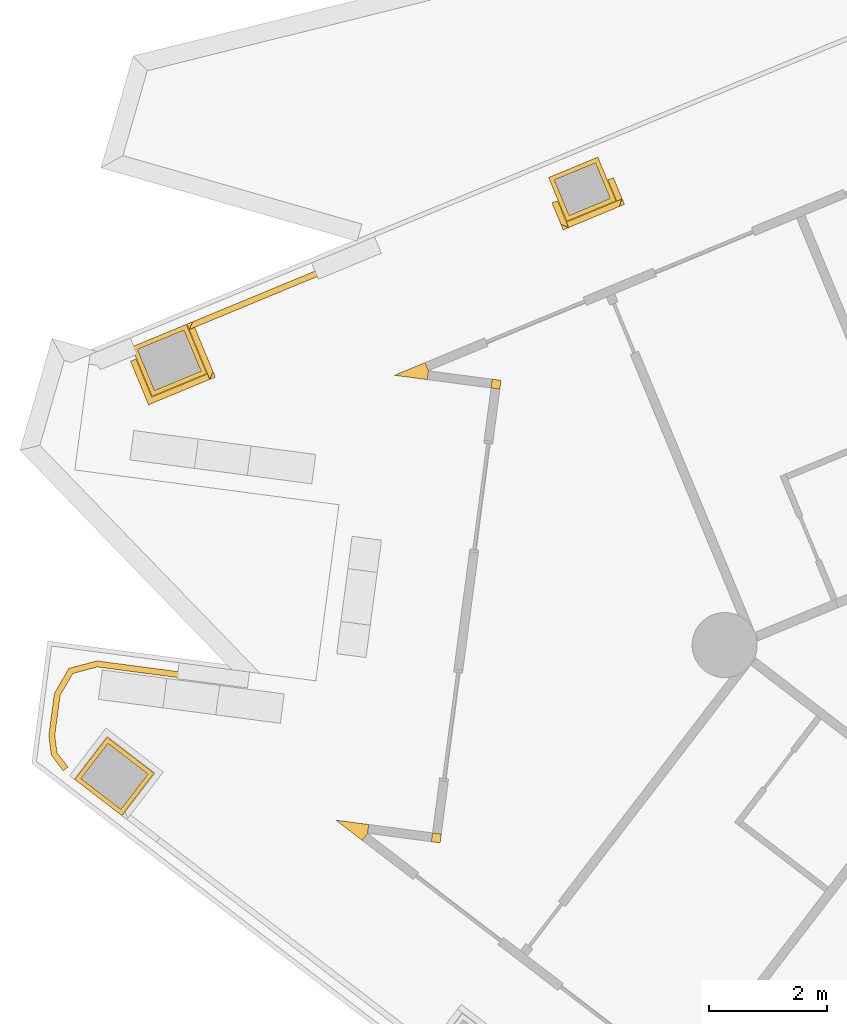
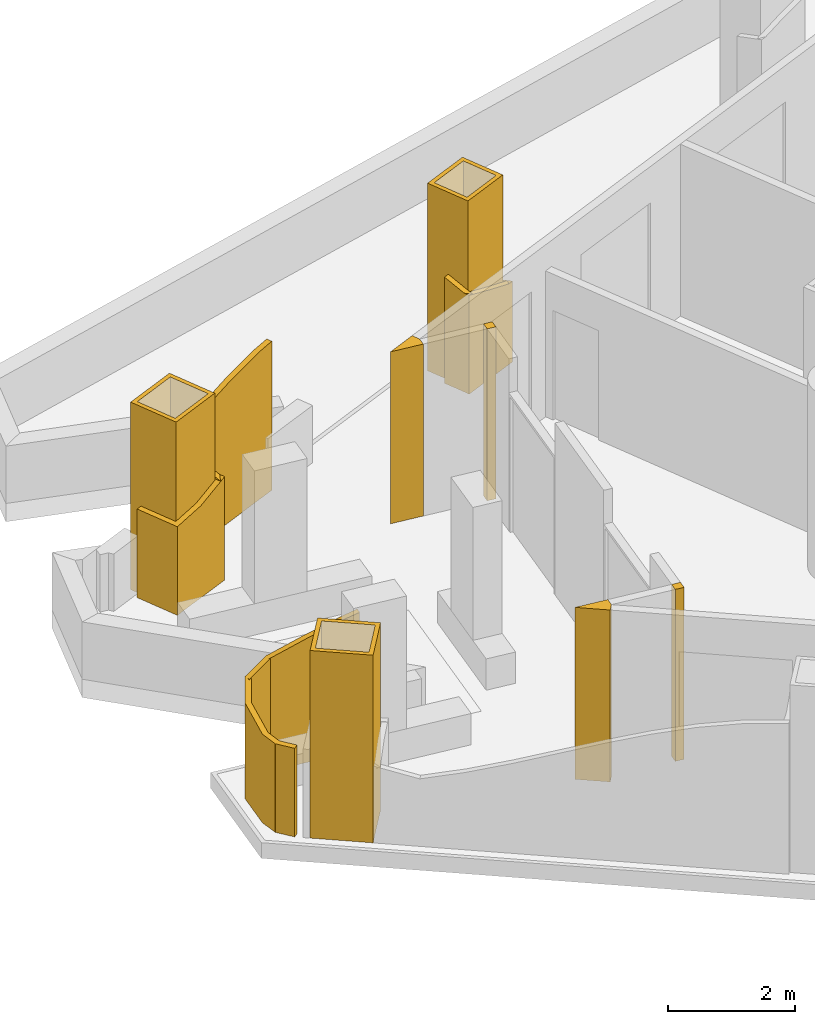
# One storey, part 15 of 19: 7 coverings, 3 railings.
"""IFC4 building model written with IfcOpenShell, lengths in metres."""

from ifc_helpers import new_model, si_unit, direction, frame, origin, place, context, subcontext, project, spatial, polyline, outline, extrude, material, layer, layer_set, type_object, element, save


model = new_model("IFC4")

# Units and contexts
model_context = context("Model", 3, precision=1e-05, world=origin(), true_north=direction((0.0, 1.0)))
body_context = subcontext(model_context, "Body", "Model", "MODEL_VIEW")
ifc_project = project(units=[si_unit("LENGTHUNIT", "METRE"), si_unit("AREAUNIT", "SQUARE_METRE"), si_unit("VOLUMEUNIT", "CUBIC_METRE"), si_unit("PLANEANGLEUNIT", "RADIAN"), si_unit("MASSUNIT", "GRAM", prefix="KILO")], contexts=[model_context])

# Site, building, storey
site_placement = place(None, origin())
site = spatial("IfcSite", under=ifc_project, at=site_placement, CompositionType="ELEMENT")
building_placement = place(site_placement, origin())
building = spatial("IfcBuilding", under=site, at=building_placement, Name="Trine Commons Tower", CompositionType="ELEMENT")
storey_placement = place(building_placement, frame((0.0, 0.0, 124.199951171875)))
storey = spatial("IfcBuildingStorey", under=building, at=storey_placement, Name="L31", CompositionType="ELEMENT", Elevation=124.199951171875)

# Coverings
ifc_material_1 = material(Name="Aluminium-framed insulated wall panel", Category="aluminium")
ifc_layer_1 = layer(ifc_material_1, 0.14990234375)
ifc_layer_set_1 = layer_set([ifc_layer_1], Name="Aluminium-framed insulated wall panel")
covering_type_1 = type_object("IfcCoveringType", Name="Glazing corner post, aluminium", PredefinedType="CLADDING", material=ifc_layer_set_1)
covering_1_placement = place(storey_placement, origin())
element("IfcCovering", 1, at=covering_1_placement, inside=storey, type_object=covering_type_1, Name="Glazing corner post 4-01", PredefinedType="CLADDING", context=body_context, shape_type="SweptSolid", body=[
    extrude(outline(polyline([(51.43359375, 62.15576171875), (51.52490234375, 62.27490234375), (51.54443359375, 62.423583984375), (50.989501953125, 62.49658203125), (51.43359375, 62.15576171875)])), origin(), (0.0, 0.0, 1.0), 3.300048828125),
])
covering_2_placement = place(storey_placement, origin())
element("IfcCovering", 2, at=covering_2_placement, inside=storey, type_object=covering_type_1, Name="Glazing corner post 4-02", PredefinedType="CLADDING", context=body_context, shape_type="SweptSolid", body=[
    extrude(outline(polyline([(52.601318359375, 62.133056640625), (52.75, 62.113525390625), (52.76953125, 62.26220703125), (52.620849609375, 62.28173828125), (52.601318359375, 62.133056640625)])), origin(), (0.0, 0.0, 1.0), 3.300048828125),
])
covering_3_placement = place(storey_placement, origin())
element("IfcCovering", 3, at=covering_3_placement, inside=storey, type_object=covering_type_1, Name="Glazing corner post 4-03", PredefinedType="CLADDING", context=body_context, shape_type="SweptSolid", body=[
    extrude(outline(polyline([(53.610107421875, 69.797119140625), (53.7587890625, 69.77734375), (53.778564453125, 69.926025390625), (53.6298828125, 69.94580078125), (53.610107421875, 69.797119140625)])), origin(), (0.0, 0.0, 1.0), 3.300048828125),
])
covering_4_placement = place(storey_placement, origin())
element("IfcCovering", 4, at=covering_4_placement, inside=storey, type_object=covering_type_1, Name="Glazing corner post 4-04", PredefinedType="CLADDING", context=body_context, shape_type="SweptSolid", body=[
    extrude(outline(polyline([(52.53369140625, 69.938720703125), (52.553466796875, 70.08740234375), (52.49609375, 70.22607421875), (51.978759765625, 70.01171875), (52.53369140625, 69.938720703125)])), origin(), (0.0, 0.0, 1.0), 3.300048828125),
])
ifc_material_2 = material(Name="Limestone, honed", Category="masonry")
ifc_layer_2 = layer(ifc_material_2, 0.074951171875)
ifc_layer_set_2 = layer_set([ifc_layer_2], Name="Limestone, honed")
covering_type_2 = type_object("IfcCoveringType", Name="Limestone column cladding 75", PredefinedType="CLADDING", material=ifc_layer_set_2)
covering_5_placement = place(storey_placement, origin())
element("IfcCovering", 5, at=covering_5_placement, inside=storey, type_object=covering_type_2, Name="Limestone pier cladding 4-08", PredefinedType="CLADDING", context=body_context, shape_type="SweptSolid", body=[
    extrude(outline(polyline([(47.1259765625, 63.898193359375), (46.578125, 63.18408203125), (47.371337890625, 62.5751953125), (47.919189453125, 63.289306640625), (47.1259765625, 63.898193359375)]), holes=[polyline([(47.139892578125, 63.79296875), (46.68310546875, 63.197998046875), (47.357666015625, 62.680419921875), (47.814208984375, 63.275390625), (47.139892578125, 63.79296875)])]), origin(), (0.0, 0.0, 1.0), 3.60009765625),
])
covering_6_placement = place(storey_placement, origin())
element("IfcCovering", 6, at=covering_6_placement, inside=storey, type_object=covering_type_2, Name="Limestone pier cladding 4-09", PredefinedType="CLADDING", context=body_context, shape_type="SweptSolid", body=[
    extrude(outline(polyline([(48.80810546875, 70.04052734375), (48.463623046875, 70.8720703125), (47.539794921875, 70.489501953125), (47.88427734375, 69.657958984375), (48.80810546875, 70.04052734375)]), holes=[polyline([(48.710205078125, 70.081298828125), (48.423095703125, 70.774169921875), (47.6376953125, 70.44873046875), (47.9248046875, 69.755859375), (48.710205078125, 70.081298828125)])]), origin(), (0.0, 0.0, 1.0), 3.60009765625),
])
covering_7_placement = place(storey_placement, origin())
element("IfcCovering", 7, at=covering_7_placement, inside=storey, type_object=covering_type_2, Name="Limestone pier cladding 4-10", PredefinedType="CLADDING", context=body_context, shape_type="SweptSolid", body=[
    extrude(outline(polyline([(55.719970703125, 72.957763671875), (55.413818359375, 73.69677734375), (54.582275390625, 73.352294921875), (54.888427734375, 72.61328125), (55.719970703125, 72.957763671875)]), holes=[polyline([(55.621826171875, 72.998291015625), (55.373291015625, 73.598876953125), (54.680419921875, 73.311767578125), (54.928955078125, 72.711181640625), (55.621826171875, 72.998291015625)])]), origin(), (0.0, 0.0, 1.0), 3.60009765625),
])

# Railings
ifc_material_3 = material(Name="White powder-coated aluminium", Category="aluminium")
ifc_layer_3 = layer(ifc_material_3, 0.10009765625)
ifc_layer_set_3 = layer_set([ifc_layer_3], Name="White powder-coated aluminium")
railing_type = type_object("IfcRailingType", Name="White balustrade band 100", PredefinedType="GUARDRAIL", material=ifc_layer_set_3)
railing_1_placement = place(storey_placement, origin())
element("IfcRailing", 8, at=railing_1_placement, inside=storey, type_object=railing_type, Name="Guard band L31 6", PredefinedType="GUARDRAIL", context=body_context, shape_type="SweptSolid", body=[
    extrude(outline(polyline([(0.0, 0.0), (0.332275390625, 0.0), (0.33203125, 1.699951171875), (0.0, 1.699951171875), (0.0, 0.0)])), frame((46.384521484375, 63.332275390625, 0.0), z_axis=(0.792979020578, 0.609248941668, 0.0), x_axis=(-0.609248941668, 0.792979020578, 0.0)), (0.0, 0.0, 1.0), 0.10009765625),
    extrude(outline(polyline([(0.0, 0.0), (0.33251953125, 0.0), (0.332275390625, 1.699951171875), (0.0, 1.699951171875), (0.0, 0.0)])), frame((46.182861328125, 63.59423828125, 0.0), z_axis=(0.991419265368, 0.1307204661, 0.0), x_axis=(-0.1307204661, 0.991419265368, 0.0)), (0.0, 0.0, 1.0), 0.10009765625),
    extrude(outline(polyline([(0.0, 0.0), (0.72021484375, 0.0), (0.72021484375, 1.839599609375), (0.0, 1.699951171875), (0.0, 0.0)])), frame((46.1396484375, 63.922607421875, 0.0), z_axis=(0.991448526078, -0.130498353005, 0.0), x_axis=(0.130498353005, 0.991448526078, 0.0)), (0.0, 0.0, 1.0), 0.10009765625),
    extrude(outline(polyline([(0.0, 0.0), (0.4912109375, 0.0), (0.4912109375, 2.0087890625), (0.0, 1.83203125), (0.0, 0.0)])), frame((46.233154296875, 64.635009765625, 0.0), z_axis=(0.866094574686, -0.499880173341, 0.0), x_axis=(0.499880173341, 0.866094574686, 0.0)), (0.0, 0.0, 1.0), 0.10009765625),
    extrude(outline(polyline([(0.0, 0.0), (0.49169921875, 0.0), (0.49169921875, 2.169921875), (0.0, 1.9931640625), (0.0, 0.0)])), frame((46.477783203125, 65.059814453125, 0.0), z_axis=(0.258744359923, -0.965945835028, 0.0), x_axis=(0.965945835028, 0.258744359923, 0.0)), (0.0, 0.0, 1.0), 0.10009765625),
    extrude(outline(polyline([(0.0, 0.0), (1.5380859375, 0.0), (1.5380859375, 2.639892578125), (1.328857421875, 2.590087890625), (0.664306640625, 2.389892578125), (0.0, 2.162109375), (0.0, 0.0)])), frame((46.950927734375, 65.186767578125, 0.0), z_axis=(-0.130635175718, -0.99143050733, 0.0), x_axis=(0.99143050733, -0.130635175718, 0.0)), (0.0, 0.0, 1.0), 0.10009765625),
])
railing_2_placement = place(storey_placement, origin())
element("IfcRailing", 9, at=railing_2_placement, inside=storey, type_object=railing_type, Name="Guard band L31 7", PredefinedType="GUARDRAIL", context=body_context, shape_type="SweptSolid", body=[
    extrude(outline(polyline([(0.0, 0.0), (0.799072265625, 0.0), (0.79931640625, 1.699951171875), (0.799072265625, 1.699951171875), (0.293212890625, 1.699951171875), (0.0, 1.699951171875), (0.0, 0.0)])), frame((47.61181640625, 70.28955078125, 0.0), z_axis=(-0.923942369466, -0.382531695295, 0.0), x_axis=(0.382531695295, -0.923942369466, 0.0)), (0.0, 0.0, 1.0), 0.10009765625),
    extrude(outline(polyline([(0.0, 0.0), (1.221923828125, 0.0), (1.221923828125, 1.98486328125), (0.61083984375, 1.766845703125), (0.0, 1.699951171875), (0.0, 0.0)])), frame((47.785888671875, 69.606201171875, 0.0), z_axis=(0.382628258263, -0.923902384443, 0.0), x_axis=(0.923902384443, 0.382628258263, 0.0)), (0.0, 0.0, 1.0), 0.10009765625),
    extrude(outline(polyline([(0.0, 0.0), (1.011962890625, 0.0), (1.01220703125, 2.3076171875), (0.506103515625, 2.130615234375), (0.0, 1.9482421875), (0.0, 0.0)])), frame((48.85986328125, 69.942138671875, 0.0), z_axis=(0.923916879573, 0.382593256136, 0.0), x_axis=(-0.382593256136, 0.923916879573, 0.0)), (0.0, 0.0, 1.0), 0.10009765625),
    extrude(outline(polyline([(0.0, 0.0), (2.50341796875, 0.0), (2.503173828125, 2.861083984375), (2.194580078125, 2.83544921875), (1.462890625, 2.70263671875), (0.7314453125, 2.509521484375), (0.0, 2.272705078125), (0.0, 0.0)])), frame((48.47216796875, 70.87548828125, 0.0), z_axis=(0.382696328882, -0.923874190494, 0.0), x_axis=(0.923874190494, 0.382696328882, 0.0)), (0.0, 0.0, 1.0), 0.10009765625),
])
railing_3_placement = place(storey_placement, origin())
element("IfcRailing", 10, at=railing_3_placement, inside=storey, type_object=railing_type, Name="Guard band L31 8", PredefinedType="GUARDRAIL", context=body_context, shape_type="SweptSolid", body=[
    extrude(outline(polyline([(0.0, 0.0), (0.490966796875, 0.0), (0.490966796875, 1.85986328125), (0.01025390625, 2.032958984375), (0.0, 2.036865234375), (0.0, 0.0)])), frame((54.733642578125, 72.96044921875, 0.0), z_axis=(-0.923810748645, -0.382849449116, 0.0), x_axis=(0.382849449116, -0.923810748645, 0.0)), (0.0, 0.0, 1.0), 0.10009765625),
    extrude(outline(polyline([(0.0, 0.0), (1.121337890625, 0.0), (1.121337890625, 1.517333984375), (0.560791015625, 1.69921875), (0.0, 1.896240234375), (0.0, 0.0)])), frame((54.790283203125, 72.5615234375, 0.0), z_axis=(0.382774840167, -0.923841664862, 0.0), x_axis=(0.923841664862, 0.382774840167, 0.0)), (0.0, 0.0, 1.0), 0.10009765625),
    extrude(outline(polyline([(0.0, 0.0), (0.49072265625, 0.0), (0.49072265625, 1.4052734375), (0.480712890625, 1.40771484375), (0.0, 1.548583984375), (0.0, 0.0)])), frame((55.771484375, 72.859375, 0.0), z_axis=(0.92391375706, 0.382600796542, 0.0), x_axis=(-0.382600796542, 0.92391375706, 0.0)), (0.0, 0.0, 1.0), 0.10009765625),
])

save(model, "model.ifc")
